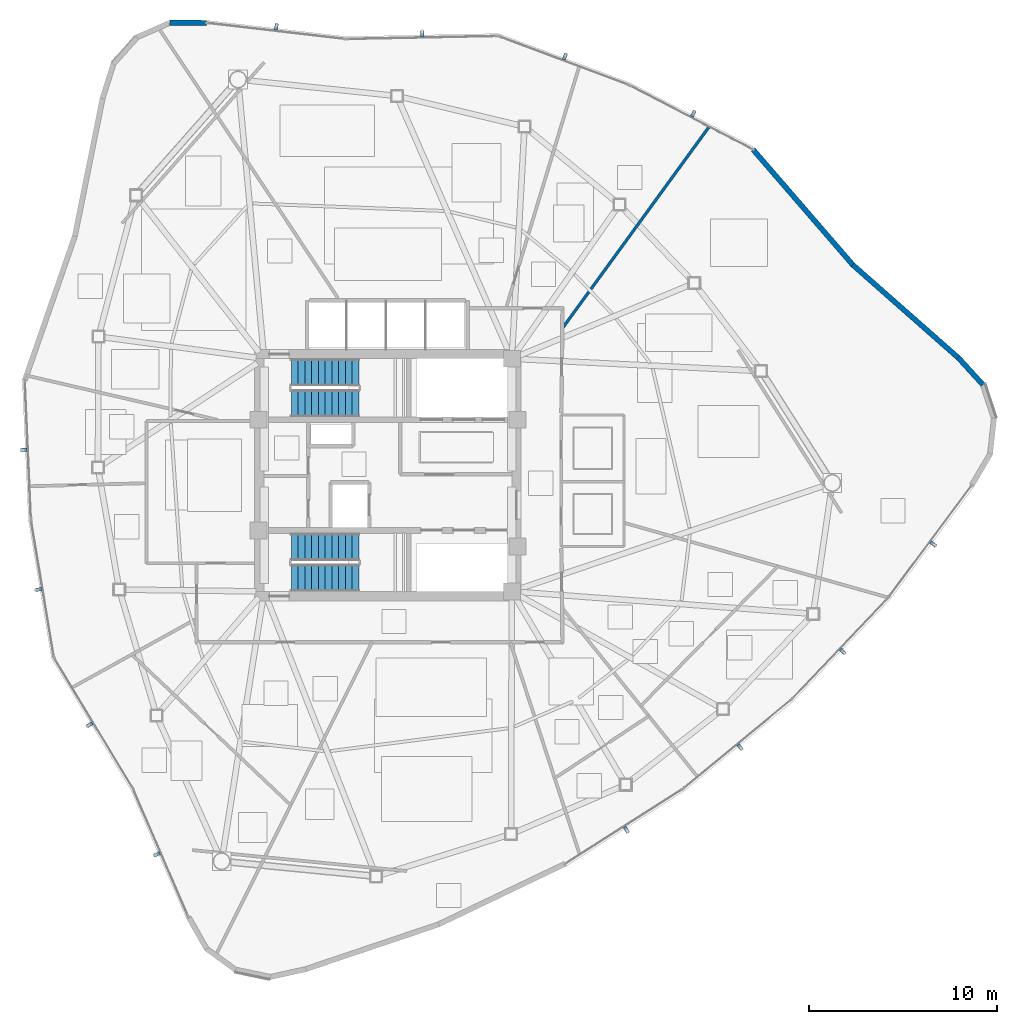
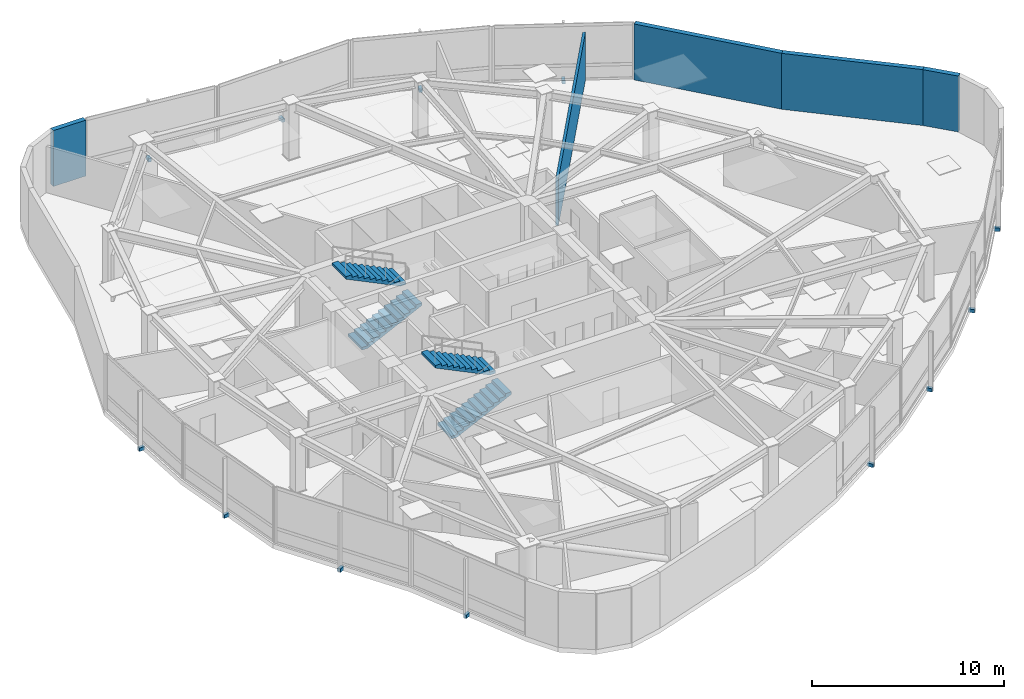
# One storey, part 13 of 17: 12 discrete accessories, 5 walls, 4 stair flights, 2 elements without a shape of their own.
"""IFC4 building model written with IfcOpenShell, lengths in metres."""

from ifc_helpers import new_model, si_unit, direction, frame, frame_2d, origin, origin_2d, place, context, subcontext, project, spatial, polyline, rectangle, outline, extrude, source, transform, mapped, material, layer, layer_set, type_object, type_shapes, element, aggregate, save


model = new_model("IFC4")

# Units and contexts
model_context = context("Model", 3, precision=1e-05, world=origin(), true_north=direction((0.0, 1.0)))
body_context = subcontext(model_context, "Body", "Model", "MODEL_VIEW")
ifc_project = project(units=[si_unit("LENGTHUNIT", "METRE"), si_unit("AREAUNIT", "SQUARE_METRE"), si_unit("VOLUMEUNIT", "CUBIC_METRE"), si_unit("PLANEANGLEUNIT", "RADIAN"), si_unit("MASSUNIT", "GRAM", prefix="KILO")], contexts=[model_context])

# Site, building, storey
site_placement = place(None, origin())
site = spatial("IfcSite", under=ifc_project, at=site_placement, CompositionType="ELEMENT")
building_placement = place(site_placement, origin())
building = spatial("IfcBuilding", under=site, at=building_placement, Name="Tavelor Broadcast Tower", CompositionType="ELEMENT")
storey_placement = place(building_placement, frame((0.0, 0.0, 184.89990234375)))
storey = spatial("IfcBuildingStorey", under=building, at=storey_placement, Name="L44", CompositionType="ELEMENT", Elevation=184.89990234375)

# Walls
ifc_material_1 = material(Name="Precast Concrete C40/50", Category="concrete")
ifc_layer_1 = layer(ifc_material_1, 0.280029296875)
ifc_layer_set_1 = layer_set([ifc_layer_1], Name="Precast Concrete C40/50")
wall_type_1 = type_object("IfcWallType", Name="Insulated Precast Terracotta Facade Wall 280 mm", PredefinedType="STANDARD", material=ifc_layer_set_1)
wall_1_placement = place(storey_placement, frame((40.3212890625, 69.093994140625, 0.0), z_axis=(0.0, 0.0, 1.0), x_axis=(-0.99996884583, 0.007893501728, 0.0)))
element("IfcWall", 1, at=wall_1_placement, inside=storey, type_object=wall_type_1, Name="L44 Rounded Corner Structural Cladding Pier 01", PredefinedType="STANDARD", context=body_context, shape_type="SweptSolid", body=[
    extrude(rectangle(XDim=1.948486328125, YDim=0.280029296875, at=frame_2d((0.97412109375, 0.0))), origin(), (0.0, 0.0, 1.0), 3.550048828125),
])
wall_2_placement = place(storey_placement, frame((81.705810546875, 49.81640625, 0.0), z_axis=(0.0, 0.0, 1.0), x_axis=(-0.674945633621, 0.73786746212, 0.0)))
element("IfcWall", 2, at=wall_2_placement, inside=storey, type_object=wall_type_1, Name="L44 Rounded Corner Structural Cladding Pier 24", PredefinedType="STANDARD", context=body_context, shape_type="SweptSolid", body=[
    extrude(rectangle(XDim=1.95947265625, YDim=0.280029296875, at=frame_2d((0.979736328125, 0.0))), origin(), (0.0, 0.0, 1.0), 3.550048828125),
])
wall_3_placement = place(storey_placement, frame((80.40478515625, 51.2412109375, 0.0), z_axis=(0.0, 0.0, 1.0), x_axis=(-0.75040040483, 0.660983534161, 0.0)))
element("IfcWall", 3, at=wall_3_placement, inside=storey, type_object=wall_type_1, Name="L44 Rounded Corner Structural Cladding Pier 25", PredefinedType="STANDARD", context=body_context, shape_type="SweptSolid", body=[
    extrude(rectangle(XDim=7.51953125, YDim=0.280029296875, at=frame_2d((3.759765625, 0.0))), origin(), (0.0, 0.0, 1.0), 3.550048828125),
])
wall_4_placement = place(storey_placement, frame((74.783203125, 56.190185546875, 0.0), z_axis=(0.0, 0.0, 1.0), x_axis=(-0.654266528011, 0.756264048018, 0.0)))
element("IfcWall", 4, at=wall_4_placement, inside=storey, type_object=wall_type_1, Name="L44 Rounded Corner Structural Cladding Pier 26", PredefinedType="STANDARD", context=body_context, shape_type="SweptSolid", body=[
    extrude(rectangle(XDim=8.1357421875, YDim=0.280029296875, at=frame_2d((4.06787109375, 0.0))), origin(), (0.0, 0.0, 1.0), 3.550048828125),
])
ifc_material_2 = material(Name="Gypsum Acoustic Plasterboard 150 mm", Category="gypsum")
ifc_layer_2 = layer(ifc_material_2, 0.14990234375)
ifc_layer_set_2 = layer_set([ifc_layer_2], Name="Gypsum Acoustic Plasterboard 150 mm")
wall_type_2 = type_object("IfcWallType", Name="Interior Acoustic Partition Wall 150 mm", PredefinedType="PARTITIONING", material=ifc_layer_set_2)
wall_5_placement = place(storey_placement, frame((59.28857421875, 52.814208984375, 0.0), z_axis=(0.0, 0.0, 1.0), x_axis=(0.588526256587, 0.808478104408, 0.0)))
element("IfcWall", 5, at=wall_5_placement, inside=storey, type_object=wall_type_2, Name="L44 Radial Compartment Wall 07", PredefinedType="PARTITIONING", context=body_context, shape_type="SweptSolid", body=[
    extrude(rectangle(XDim=13.30419921875, YDim=0.14990234375, at=frame_2d((6.652099609375, 0.0))), origin(), (0.0, 0.0, 1.0), 3.025146484375),
])

# Stair, stair flights
ifc_material_3 = material(Name="Concrete C40/50", Category="concrete")
stair_type = type_object("IfcStairType", Name="Reinforced Concrete Protected Dogleg Stair 1450 mm", PredefinedType="HALF_TURN_STAIR", material=ifc_material_3)
stair_1_placement = place(storey_placement, origin())
stair_1 = element("IfcStair", 6, at=stair_1_placement, inside=storey, type_object=stair_type, Name="L44 Protected Core Exit Stair ST1", PredefinedType="HALF_TURN_STAIR")
stair_flight_type = type_object("IfcStairFlightType", Name="Reinforced Concrete Stair Flight 1450 mm", PredefinedType="STRAIGHT", material=ifc_material_3)
stair_flight_1_placement = place(storey_placement, frame((44.85009765625, 48.824951171875, 0.0), z_axis=(0.0, 0.0, 1.0), x_axis=(1.0, 0.0, 0.0)))
stair_flight_1 = element("IfcStairFlight", 7, at=stair_flight_1_placement, type_object=stair_flight_type, Name="ST1 flight 1", NumberOfRisers=11, NumberOfTreads=10, PredefinedType="STRAIGHT", RiserHeight=0.175, TreadLength=0.36, context=body_context, shape_type="SweptSolid", body=[
    extrude(outline(polyline([(0.0, 0.0), (0.0, 0.175048828125), (0.360107421875, 0.175048828125), (0.360107421875, 0.35009765625), (0.719970703125, 0.35009765625), (0.719970703125, 0.52490234375), (1.080078125, 0.52490234375), (1.080078125, 0.699951171875), (1.43994140625, 0.699951171875), (1.43994140625, 0.875), (1.800048828125, 0.875), (1.800048828125, 1.050048828125), (2.159912109375, 1.050048828125), (2.159912109375, 1.22509765625), (2.52001953125, 1.22509765625), (2.52001953125, 1.39990234375), (2.8798828125, 1.39990234375), (2.8798828125, 1.574951171875), (3.239990234375, 1.574951171875), (3.239990234375, 1.75), (3.60009765625, 1.75), (3.60009765625, 1.925048828125), (3.60009765625, 1.583251953125), (0.3427734375, 0.0), (0.0, 0.0)])), frame((0.0, 0.72509765625, 0.0), z_axis=(0.0, -1.0, 0.0), x_axis=(1.0, 0.0, 0.0)), (0.0, 0.0, 1.0), 1.449951171875),
])
stair_flight_2_placement = place(storey_placement, frame((48.449951171875, 50.47509765625, 1.925048828125), z_axis=(0.0, 0.0, 1.0), x_axis=(-1.0, 0.0, 0.0)))
stair_flight_2 = element("IfcStairFlight", 8, at=stair_flight_2_placement, type_object=stair_flight_type, Name="ST1 flight 2", NumberOfRisers=11, NumberOfTreads=10, PredefinedType="STRAIGHT", RiserHeight=0.175, TreadLength=0.36, context=body_context, shape_type="SweptSolid", body=[
    extrude(outline(polyline([(0.0, 0.0), (0.0, 0.175048828125), (0.360107421875, 0.175048828125), (0.360107421875, 0.35009765625), (0.719970703125, 0.35009765625), (0.719970703125, 0.52490234375), (1.080078125, 0.52490234375), (1.080078125, 0.699951171875), (1.43994140625, 0.699951171875), (1.43994140625, 0.875), (1.800048828125, 0.875), (1.800048828125, 1.050048828125), (2.159912109375, 1.050048828125), (2.159912109375, 1.22509765625), (2.52001953125, 1.22509765625), (2.52001953125, 1.39990234375), (2.8798828125, 1.39990234375), (2.8798828125, 1.574951171875), (3.239990234375, 1.574951171875), (3.239990234375, 1.75), (3.60009765625, 1.75), (3.60009765625, 1.925048828125), (3.60009765625, 1.583251953125), (0.3427734375, 0.0), (0.0, 0.0)])), frame((0.0, 0.72509765625, 0.0), z_axis=(0.0, -1.0, 0.0), x_axis=(1.0, 0.0, 0.0)), (0.0, 0.0, 1.0), 1.449951171875),
])
aggregate(stair_1, [stair_flight_1, stair_flight_2])

stair_2_placement = place(storey_placement, origin())
stair_2 = element("IfcStair", 9, at=stair_2_placement, inside=storey, type_object=stair_type, Name="L44 Protected Core Exit Stair ST2", PredefinedType="HALF_TURN_STAIR")
stair_flight_3_placement = place(storey_placement, frame((44.85009765625, 39.52490234375, 0.0), z_axis=(0.0, 0.0, 1.0), x_axis=(1.0, 0.0, 0.0)))
stair_flight_3 = element("IfcStairFlight", 10, at=stair_flight_3_placement, type_object=stair_flight_type, Name="ST2 flight 1", NumberOfRisers=11, NumberOfTreads=10, PredefinedType="STRAIGHT", RiserHeight=0.175, TreadLength=0.36, context=body_context, shape_type="SweptSolid", body=[
    extrude(outline(polyline([(0.0, 0.0), (0.0, 0.175048828125), (0.360107421875, 0.175048828125), (0.360107421875, 0.35009765625), (0.719970703125, 0.35009765625), (0.719970703125, 0.52490234375), (1.080078125, 0.52490234375), (1.080078125, 0.699951171875), (1.43994140625, 0.699951171875), (1.43994140625, 0.875), (1.800048828125, 0.875), (1.800048828125, 1.050048828125), (2.159912109375, 1.050048828125), (2.159912109375, 1.22509765625), (2.52001953125, 1.22509765625), (2.52001953125, 1.39990234375), (2.8798828125, 1.39990234375), (2.8798828125, 1.574951171875), (3.239990234375, 1.574951171875), (3.239990234375, 1.75), (3.60009765625, 1.75), (3.60009765625, 1.925048828125), (3.60009765625, 1.583251953125), (0.3427734375, 0.0), (0.0, 0.0)])), frame((0.0, 0.72509765625, 0.0), z_axis=(0.0, -1.0, 0.0), x_axis=(1.0, 0.0, 0.0)), (0.0, 0.0, 1.0), 1.449951171875),
])
stair_flight_4_placement = place(storey_placement, frame((48.449951171875, 41.175048828125, 1.925048828125), z_axis=(0.0, 0.0, 1.0), x_axis=(-1.0, 0.0, 0.0)))
stair_flight_4 = element("IfcStairFlight", 11, at=stair_flight_4_placement, type_object=stair_flight_type, Name="ST2 flight 2", NumberOfRisers=11, NumberOfTreads=10, PredefinedType="STRAIGHT", RiserHeight=0.175, TreadLength=0.36, context=body_context, shape_type="SweptSolid", body=[
    extrude(outline(polyline([(0.0, 0.0), (0.0, 0.175048828125), (0.360107421875, 0.175048828125), (0.360107421875, 0.35009765625), (0.719970703125, 0.35009765625), (0.719970703125, 0.52490234375), (1.080078125, 0.52490234375), (1.080078125, 0.699951171875), (1.43994140625, 0.699951171875), (1.43994140625, 0.875), (1.800048828125, 0.875), (1.800048828125, 1.050048828125), (2.159912109375, 1.050048828125), (2.159912109375, 1.22509765625), (2.52001953125, 1.22509765625), (2.52001953125, 1.39990234375), (2.8798828125, 1.39990234375), (2.8798828125, 1.574951171875), (3.239990234375, 1.574951171875), (3.239990234375, 1.75), (3.60009765625, 1.75), (3.60009765625, 1.925048828125), (3.60009765625, 1.583251953125), (0.3427734375, 0.0), (0.0, 0.0)])), frame((0.0, 0.72509765625, 0.0), z_axis=(0.0, -1.0, 0.0), x_axis=(1.0, 0.0, 0.0)), (0.0, 0.0, 1.0), 1.449951171875),
])
aggregate(stair_2, [stair_flight_3, stair_flight_4])

# Discrete accessories
ifc_material_4 = material(Name="Steel S355", Category="steel")
discrete_accessory_type = type_object("IfcDiscreteAccessoryType", Name="Stainless Baguette Outrigger Support Bracket 260x180", PredefinedType="BRACKET", material=ifc_material_4)
shared_shape = source(origin(), body_context, "Body", "SweptSolid", [
    extrude(rectangle(XDim=0.179931640625, YDim=0.340087890625, at=origin_2d()), origin(), (0.0, 0.0, 1.0), 0.216064453125),
])
type_shapes(discrete_accessory_type, [shared_shape])
for number, where, z_axis, x_axis, name in (
    (12, (30.595703125, 46.344482421875, -0.2578125), (0.0, 0.0, 1.0), (0.044142481788, -0.999025245578, 0.0), "L44 Baguette Outrigger Bracket 457"),
    (13, (31.3779296875, 38.902099609375, -0.2578125), (0.0, 0.0, 1.0), (0.16470331719, -0.986343153931, 0.0), "L44 Baguette Outrigger Bracket 458"),
    (14, (34.107666015625, 31.699951171875, -0.2578125), (0.0, 0.0, 1.0), (0.516981598438, -0.855996511019, 0.0), "L44 Baguette Outrigger Bracket 459"),
    (15, (37.69091796875, 24.7919921875, -0.2578125), (0.0, 0.0, 1.0), (0.396827509647, -0.917893200535, 0.0), "L44 Baguette Outrigger Bracket 460"),
    (16, (62.703369140625, 26.1044921875, -0.2578125), (0.0, 0.0, 1.0), (0.84320384149, 0.537593974759, 0.0), "L44 Baguette Outrigger Bracket 461"),
    (17, (68.7578125, 30.5029296875, -0.2578125), (0.0, 0.0, 1.0), (0.771846569558, 0.63580883374, 0.0), "L44 Baguette Outrigger Bracket 462"),
    (18, (74.235107421875, 35.60205078125, -0.2578125), (0.0, 0.0, 1.0), (0.689240273721, 0.724532846102, 0.0), "L44 Baguette Outrigger Bracket 463"),
    (19, (79.055419921875, 41.326416015625, -0.2578125), (0.0, 0.0, 1.0), (0.596505074801, 0.802609304542, 0.0), "L44 Baguette Outrigger Bracket 464"),
    (20, (66.2666015625, 64.25, -0.2578125), (0.0, 0.0, 1.0), (-0.887171959808, 0.461438959919, 0.0), "L44 Baguette Outrigger Bracket 465"),
    (21, (59.429931640625, 67.293701171875, -0.2578125), (0.0, 0.0, 1.0), (-0.936549886748, 0.350534320191, 0.0), "L44 Baguette Outrigger Bracket 466"),
    (22, (51.828125, 68.531005859375, -0.2578125), (0.0, 0.0, 1.0), (-0.999805523312, -0.019720942027, 0.0), "L44 Baguette Outrigger Bracket 467"),
    (23, (44.0537109375, 68.881591796875, -0.2578125), (0.0, 0.0, 1.0), (-0.993332584447, 0.115283895993, 0.0), "L44 Baguette Outrigger Bracket 468"),
):
    element("IfcDiscreteAccessory", number, at=place(storey_placement, frame(where, z_axis=z_axis, x_axis=x_axis)), inside=storey, type_object=discrete_accessory_type, Name=name, PredefinedType="BRACKET", context=body_context, shape_type="MappedRepresentation", body=[
        mapped(shared_shape, transform((0.0, 0.0, 0.0), scale=1.0)),
    ])

save(model, "model.ifc")
